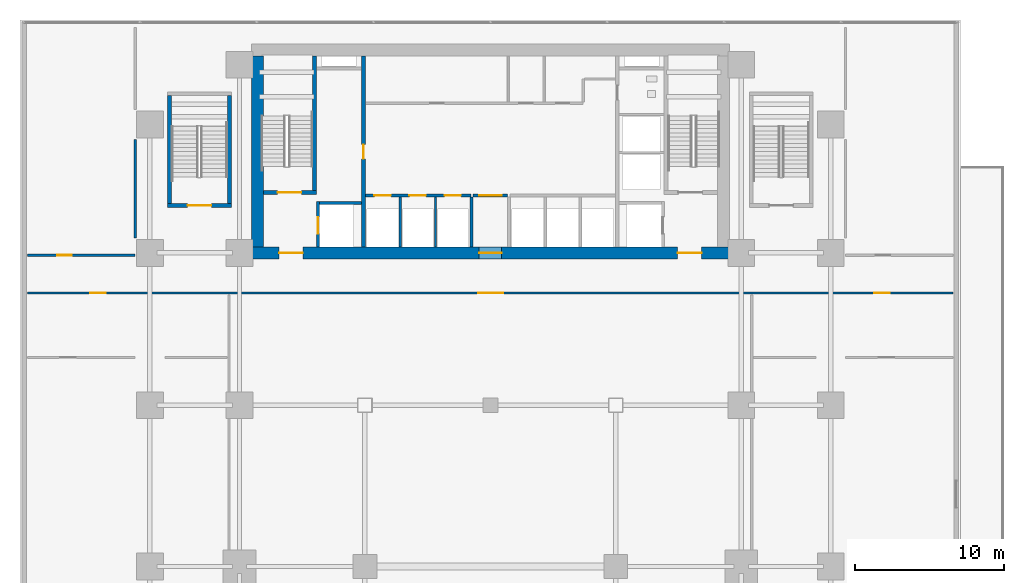
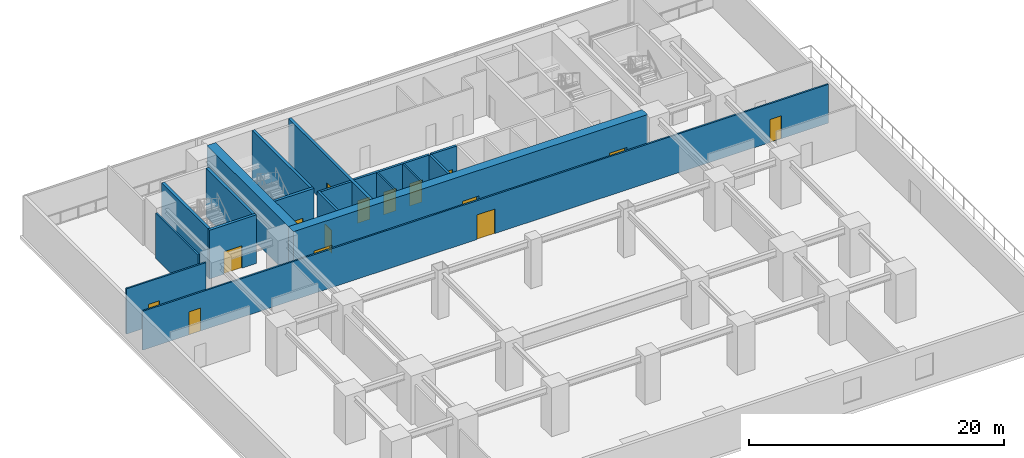
# One storey, part 8 of 15: 18 walls, 15 doors, 15 openings.
"""IFC4 building model written with IfcOpenShell, lengths in metres."""

from ifc_helpers import new_model, si_unit, direction, frame, frame_2d, origin, place, context, subcontext, project, spatial, rectangle, extrude, source, transform, mapped, material, layer, layer_set, type_object, element, fill, save


model = new_model("IFC4")

# Units and contexts
model_context = context("Model", 3, precision=1e-05, world=origin(), true_north=direction((0.0, 1.0)))
body_context = subcontext(model_context, "Body", "Model", "MODEL_VIEW")
ifc_project = project(units=[si_unit("LENGTHUNIT", "METRE"), si_unit("AREAUNIT", "SQUARE_METRE"), si_unit("VOLUMEUNIT", "CUBIC_METRE"), si_unit("PLANEANGLEUNIT", "RADIAN"), si_unit("MASSUNIT", "GRAM", prefix="KILO")], contexts=[model_context])

# Site, building, storey
site_placement = place(None, origin())
site = spatial("IfcSite", under=ifc_project, at=site_placement, CompositionType="ELEMENT")
building_placement = place(site_placement, origin())
building = spatial("IfcBuilding", under=site, at=building_placement, Name="Sumidabori Civic Tower", CompositionType="ELEMENT")
storey_placement = place(building_placement, frame((0.0, 0.0, 14.300048828125)))
storey = spatial("IfcBuildingStorey", under=building, at=storey_placement, Name="L03", CompositionType="ELEMENT", Elevation=14.300048828125)

# Wall, openings, doors
ifc_material_1 = material(Name="Concrete C60/75", Category="concrete")
ifc_layer_1 = layer(ifc_material_1, 0.800048828125, Name="Concrete C60/75")
ifc_layer_set_1 = layer_set([ifc_layer_1], Name="Concrete C60/75")
wall_type_1 = type_object("IfcWallType", Name="WL-CORE-800", PredefinedType="SHEAR", material=ifc_layer_set_1)
shared_shape_1 = source(origin(), body_context, "Body", "SweptSolid", [
    extrude(rectangle(XDim=32.0, YDim=0.800048828125, at=frame_2d((16.0, 0.0))), origin(), (0.0, 0.0, 1.0), 4.64990234375),
])
wall_1_placement = place(storey_placement, frame((-16.0, 10.199951171875, 0.0), z_axis=(0.0, 0.0, 1.0), x_axis=(1.0, 0.0, 0.0)))
wall_1 = element("IfcWall", 1, at=wall_1_placement, inside=storey, type_object=wall_type_1, Name="Core Shear Wall L03 S", PredefinedType="SHEAR", context=body_context, shape_type="MappedRepresentation", body=[
    mapped(shared_shape_1, transform((0.0, 0.0, 0.0), x_axis=(1.0, 0.0, 0.0), y_axis=(0.0, 1.0, 0.0), z_axis=(0.0, 0.0, 1.0), scale=1.0)),
])
opening_1_placement = place(wall_1_placement, frame((1.85009765625, 0.0, 0.0)))
opening_1 = element("IfcOpeningElement", 2, at=opening_1_placement, cuts=wall_1, Name="Opening DR-FD4", PredefinedType="OPENING", context=body_context, shape_type="SweptSolid", body=[
    extrude(rectangle(XDim=1.60009765625, YDim=2.14990234375, at=frame_2d((0.800048828125, 1.074951171875))), frame((0.0, 0.412109375, 0.0), z_axis=(0.0, -1.0, 0.0), x_axis=(1.0, 0.0, 0.0)), (0.0, 0.0, 1.0), 0.823974609375),
])
opening_2_placement = place(wall_1_placement, frame((28.550048828125, 0.0, 0.0)))
opening_2 = element("IfcOpeningElement", 3, at=opening_2_placement, cuts=wall_1, Name="Opening DR-FD4", PredefinedType="OPENING", context=body_context, shape_type="SweptSolid", body=[
    extrude(rectangle(XDim=1.60009765625, YDim=2.14990234375, at=frame_2d((0.800048828125, 1.074951171875))), frame((0.0, 0.412109375, 0.0), z_axis=(0.0, -1.0, 0.0), x_axis=(1.0, 0.0, 0.0)), (0.0, 0.0, 1.0), 0.823974609375),
])
opening_3_placement = place(wall_1_placement, frame((15.25, 0.0, 0.0)))
opening_3 = element("IfcOpeningElement", 4, at=opening_3_placement, cuts=wall_1, Name="Opening DR-FD3", PredefinedType="OPENING", context=body_context, shape_type="SweptSolid", body=[
    extrude(rectangle(XDim=1.5, YDim=2.199951171875, at=frame_2d((0.75, 1.10009765625))), frame((0.0, 0.412109375, 0.0), z_axis=(0.0, -1.0, 0.0), x_axis=(1.0, 0.0, 0.0)), (0.0, 0.0, 1.0), 0.823974609375),
])
ifc_material_2 = material(Name="Steel SN490", Category="steel")
door_type_1 = type_object("IfcDoorType", Name="DR-FD4", OperationType="DOUBLE_DOOR_SINGLE_SWING", PredefinedType="DOOR", material=ifc_material_2)
shared_shape_2 = source(origin(), body_context, "Body", "SweptSolid", [
    extrude(rectangle(XDim=1.60009765625, YDim=2.14990234375, at=frame_2d((0.800048828125, 1.074951171875))), frame((0.0, 0.02490234375, 0.0), z_axis=(0.0, -1.0, 0.0), x_axis=(1.0, 0.0, 0.0)), (0.0, 0.0, 1.0), 0.050048828125),
])
door_1_placement = place(opening_1_placement, origin())
door_1 = element("IfcDoor", 5, at=door_1_placement, inside=storey, type_object=door_type_1, Name="Door DR:L03:ELOB-W", OperationType="DOUBLE_DOOR_SINGLE_SWING", OverallHeight=2.14990234375, OverallWidth=1.60009765625, PredefinedType="DOOR", context=body_context, shape_type="MappedRepresentation", body=[
    mapped(shared_shape_2, transform((0.0, 0.0, 0.0), x_axis=(1.0, 0.0, 0.0), y_axis=(0.0, 1.0, 0.0), z_axis=(0.0, 0.0, 1.0), scale=1.0)),
])
fill(opening_1, door_1)
door_2_placement = place(opening_2_placement, origin())
door_2 = element("IfcDoor", 6, at=door_2_placement, inside=storey, type_object=door_type_1, Name="Door DR:L03:ELOB-E", OperationType="DOUBLE_DOOR_SINGLE_SWING", OverallHeight=2.14990234375, OverallWidth=1.60009765625, PredefinedType="DOOR", context=body_context, shape_type="MappedRepresentation", body=[
    mapped(shared_shape_2, transform((0.0, 0.0, 0.0), x_axis=(1.0, 0.0, 0.0), y_axis=(0.0, 1.0, 0.0), z_axis=(0.0, 0.0, 1.0), scale=1.0)),
])
fill(opening_2, door_2)
door_type_2 = type_object("IfcDoorType", Name="DR-FD-DBL", OperationType="DOUBLE_DOOR_SINGLE_SWING", PredefinedType="DOOR", material=ifc_material_2)
shared_shape_3 = source(origin(), body_context, "Body", "SweptSolid", [
    extrude(rectangle(XDim=1.5, YDim=2.199951171875, at=frame_2d((0.75, 1.10009765625))), frame((0.0, 0.02490234375, 0.0), z_axis=(0.0, -1.0, 0.0), x_axis=(1.0, 0.0, 0.0)), (0.0, 0.0, 1.0), 0.050048828125),
])
door_3_placement = place(opening_3_placement, origin())
door_3 = element("IfcDoor", 7, at=door_3_placement, inside=storey, type_object=door_type_2, Name="Door DR:L03:THROAT-OUT", OperationType="DOUBLE_DOOR_SINGLE_SWING", OverallHeight=2.199951171875, OverallWidth=1.5, PredefinedType="DOOR", context=body_context, shape_type="MappedRepresentation", body=[
    mapped(shared_shape_3, transform((0.0, 0.0, 0.0), x_axis=(1.0, 0.0, 0.0), y_axis=(0.0, 1.0, 0.0), z_axis=(0.0, 0.0, 1.0), scale=1.0)),
])
fill(opening_3, door_3)

# Wall
shared_shape_4 = source(origin(), body_context, "Body", "SweptSolid", [
    extrude(rectangle(XDim=12.7998046875, YDim=0.800048828125, at=frame_2d((6.39990234375, 0.0))), origin(), (0.0, 0.0, 1.0), 4.64990234375),
])
wall_2_placement = place(storey_placement, frame((-15.60009765625, 10.60009765625, 0.0), z_axis=(0.0, 0.0, 1.0), x_axis=(0.0, 1.0, 0.0)))
element("IfcWall", 8, at=wall_2_placement, inside=storey, type_object=wall_type_1, Name="Core Shear Wall L03 W", PredefinedType="SHEAR", context=body_context, shape_type="MappedRepresentation", body=[
    mapped(shared_shape_4, transform((0.0, 0.0, 0.0), x_axis=(1.0, 0.0, 0.0), y_axis=(0.0, 1.0, 0.0), z_axis=(0.0, 0.0, 1.0), scale=1.0)),
])

# Wall, opening, door
ifc_material_3 = material(Name="Concrete C50/60", Category="concrete")
ifc_layer_2 = layer(ifc_material_3, 0.25, Name="Concrete C50/60")
ifc_layer_set_2 = layer_set([ifc_layer_2], Name="Concrete C50/60")
wall_type_2 = type_object("IfcWallType", Name="WL-SHAFT-250", PredefinedType="SHEAR", material=ifc_layer_set_2)
shared_shape_5 = source(origin(), body_context, "Body", "SweptSolid", [
    extrude(rectangle(XDim=12.7998046875, YDim=0.25, at=frame_2d((6.39990234375, 0.0))), origin(), (0.0, 0.0, 1.0), 4.64990234375),
])
wall_3_placement = place(storey_placement, frame((-8.5, 10.60009765625, 0.0), z_axis=(0.0, 0.0, 1.0), x_axis=(0.0, 1.0, 0.0)))
wall_3 = element("IfcWall", 9, at=wall_3_placement, inside=storey, type_object=wall_type_2, Name="Core Shear Wall L03 WEB-W", PredefinedType="SHEAR", context=body_context, shape_type="MappedRepresentation", body=[
    mapped(shared_shape_5, transform((0.0, 0.0, 0.0), x_axis=(1.0, 0.0, 0.0), y_axis=(0.0, 1.0, 0.0), z_axis=(0.0, 0.0, 1.0), scale=1.0)),
])
opening_4_placement = place(wall_3_placement, frame((5.89990234375, 0.0, 0.0)))
opening_4 = element("IfcOpeningElement", 10, at=opening_4_placement, cuts=wall_3, Name="Opening DR-FD2", PredefinedType="OPENING", context=body_context, shape_type="SweptSolid", body=[
    extrude(rectangle(XDim=0.949951171875, YDim=2.14990234375, at=frame_2d((0.47509765625, 1.074951171875))), frame((0.0, 0.136962890625, 0.0), z_axis=(0.0, -1.0, 0.0), x_axis=(1.0, 0.0, 0.0)), (0.0, 0.0, 1.0), 0.27392578125),
])
door_type_3 = type_object("IfcDoorType", Name="DR-FD2", OperationType="NOTDEFINED", PredefinedType="DOOR", material=ifc_material_2)
shared_shape_6 = source(origin(), body_context, "Body", "SweptSolid", [
    extrude(rectangle(XDim=0.949951171875, YDim=2.14990234375, at=frame_2d((0.47509765625, 1.074951171875))), frame((0.0, 0.02490234375, 0.0), z_axis=(0.0, -1.0, 0.0), x_axis=(1.0, 0.0, 0.0)), (0.0, 0.0, 1.0), 0.050048828125),
])
door_4_placement = place(opening_4_placement, origin())
door_4 = element("IfcDoor", 11, at=door_4_placement, inside=storey, type_object=door_type_3, Name="Door DR:L03:CW-STR", OperationType="SINGLE_SWING_LEFT", OverallHeight=2.14990234375, OverallWidth=0.949951171875, PredefinedType="DOOR", context=body_context, shape_type="MappedRepresentation", body=[
    mapped(shared_shape_6, transform((0.0, 0.0, 0.0), x_axis=(1.0, 0.0, 0.0), y_axis=(0.0, 1.0, 0.0), z_axis=(0.0, 0.0, 1.0), scale=1.0)),
])
fill(opening_4, door_4)

shared_shape_7 = source(origin(), body_context, "Body", "SweptSolid", [
    extrude(rectangle(XDim=3.554931640625, YDim=0.25, at=frame_2d((1.77734375, 0.0))), origin(), (0.0, 0.0, 1.0), 4.64990234375),
])
wall_4_placement = place(storey_placement, frame((-15.199951171875, 14.25, 0.0), z_axis=(0.0, 0.0, 1.0), x_axis=(1.0, 0.0, 0.0)))
wall_4 = element("IfcWall", 12, at=wall_4_placement, inside=storey, type_object=wall_type_2, Name="Core Shear Wall L03 ST1-S", PredefinedType="SHEAR", context=body_context, shape_type="MappedRepresentation", body=[
    mapped(shared_shape_7, transform((0.0, 0.0, 0.0), x_axis=(1.0, 0.0, 0.0), y_axis=(0.0, 1.0, 0.0), z_axis=(0.0, 0.0, 1.0), scale=1.0)),
])
opening_5_placement = place(wall_4_placement, frame((0.949951171875, 0.0, 0.0)))
opening_5 = element("IfcOpeningElement", 13, at=opening_5_placement, cuts=wall_4, Name="Opening DR-FD4", PredefinedType="OPENING", context=body_context, shape_type="SweptSolid", body=[
    extrude(rectangle(XDim=1.60009765625, YDim=2.14990234375, at=frame_2d((0.800048828125, 1.074951171875))), frame((0.0, 0.136962890625, 0.0), z_axis=(0.0, -1.0, 0.0), x_axis=(1.0, 0.0, 0.0)), (0.0, 0.0, 1.0), 0.27392578125),
])
door_5_placement = place(opening_5_placement, origin())
door_5 = element("IfcDoor", 14, at=door_5_placement, inside=storey, type_object=door_type_1, Name="Door DR:L03:ST1", OperationType="DOUBLE_DOOR_SINGLE_SWING", OverallHeight=2.14990234375, OverallWidth=1.60009765625, PredefinedType="DOOR", context=body_context, shape_type="MappedRepresentation", body=[
    mapped(shared_shape_2, transform((0.0, 0.0, 0.0), x_axis=(1.0, 0.0, 0.0), y_axis=(0.0, 1.0, 0.0), z_axis=(0.0, 0.0, 1.0), scale=1.0)),
])
fill(opening_5, door_5)

# Wall
shared_shape_8 = source(origin(), body_context, "Body", "SweptSolid", [
    extrude(rectangle(XDim=9.02490234375, YDim=0.25, at=frame_2d((4.512451171875, 0.0))), origin(), (0.0, 0.0, 1.0), 4.64990234375),
])
wall_5_placement = place(storey_placement, frame((-11.77001953125, 14.375, 0.0), z_axis=(0.0, 0.0, 1.0), x_axis=(0.0, 1.0, 0.0)))
element("IfcWall", 15, at=wall_5_placement, inside=storey, type_object=wall_type_2, Name="Core Shear Wall L03 ST1-E", PredefinedType="SHEAR", context=body_context, shape_type="MappedRepresentation", body=[
    mapped(shared_shape_8, transform((0.0, 0.0, 0.0), x_axis=(1.0, 0.0, 0.0), y_axis=(0.0, 1.0, 0.0), z_axis=(0.0, 0.0, 1.0), scale=1.0)),
])

# Wall, opening, door
ifc_layer_3 = layer(ifc_material_3, 0.199951171875, Name="Concrete C50/60")
ifc_layer_set_3 = layer_set([ifc_layer_3], Name="Concrete C50/60")
wall_type_3 = type_object("IfcWallType", Name="WL-SHAFT-200", PredefinedType="SHEAR", material=ifc_layer_set_3)
shared_shape_9 = source(origin(), body_context, "Body", "SweptSolid", [
    extrude(rectangle(XDim=3.0498046875, YDim=0.199951171875, at=frame_2d((1.52490234375, 0.0))), origin(), (0.0, 0.0, 1.0), 4.64990234375),
])
wall_6_placement = place(storey_placement, frame((-11.550048828125, 10.60009765625, 0.0), z_axis=(0.0, 0.0, 1.0), x_axis=(0.0, 1.0, 0.0)))
wall_6 = element("IfcWall", 16, at=wall_6_placement, inside=storey, type_object=wall_type_3, Name="Core Shear Wall L03 EL1-W", PredefinedType="SHEAR", context=body_context, shape_type="MappedRepresentation", body=[
    mapped(shared_shape_9, transform((0.0, 0.0, 0.0), x_axis=(1.0, 0.0, 0.0), y_axis=(0.0, 1.0, 0.0), z_axis=(0.0, 0.0, 1.0), scale=1.0)),
])
opening_6_placement = place(wall_6_placement, frame((0.89990234375, 0.0, 0.0)))
opening_6 = element("IfcOpeningElement", 17, at=opening_6_placement, cuts=wall_6, Name="Opening LD-2", PredefinedType="OPENING", context=body_context, shape_type="SweptSolid", body=[
    extrude(rectangle(XDim=1.10009765625, YDim=2.14990234375, at=frame_2d((0.550048828125, 1.074951171875))), frame((0.0, 0.11181640625, 0.0), z_axis=(0.0, -1.0, 0.0), x_axis=(1.0, 0.0, 0.0)), (0.0, 0.0, 1.0), 0.223876953125),
])
ifc_material_4 = material(Name="Stainless Steel Hairline Finish", Category="steel")
door_type_4 = type_object("IfcDoorType", Name="DR-LD2", OperationType="DOUBLE_DOOR_SLIDING", PredefinedType="DOOR", material=ifc_material_4)
shared_shape_10 = source(origin(), body_context, "Body", "SweptSolid", [
    extrude(rectangle(XDim=1.10009765625, YDim=2.14990234375, at=frame_2d((0.550048828125, 1.074951171875))), frame((0.0, 0.02490234375, 0.0), z_axis=(0.0, -1.0, 0.0), x_axis=(1.0, 0.0, 0.0)), (0.0, 0.0, 1.0), 0.050048828125),
])
door_6_placement = place(opening_6_placement, origin())
door_6 = element("IfcDoor", 18, at=door_6_placement, inside=storey, type_object=door_type_4, Name="Door DR:L03:LD-EL1", OperationType="DOUBLE_DOOR_SLIDING", OverallHeight=2.14990234375, OverallWidth=1.10009765625, PredefinedType="DOOR", context=body_context, shape_type="MappedRepresentation", body=[
    mapped(shared_shape_10, transform((0.0, 0.0, 0.0), x_axis=(1.0, 0.0, 0.0), y_axis=(0.0, 1.0, 0.0), z_axis=(0.0, 0.0, 1.0), scale=1.0)),
])
fill(opening_6, door_6)

# Wall
shared_shape_11 = source(origin(), body_context, "Body", "SweptSolid", [
    extrude(rectangle(XDim=2.824951171875, YDim=0.199951171875, at=frame_2d((1.41259765625, 0.0))), origin(), (0.0, 0.0, 1.0), 4.64990234375),
])
wall_7_placement = place(storey_placement, frame((-11.449951171875, 13.550048828125, 0.0), z_axis=(0.0, 0.0, 1.0), x_axis=(1.0, 0.0, 0.0)))
element("IfcWall", 19, at=wall_7_placement, inside=storey, type_object=wall_type_3, Name="Core Shear Wall L03 EL1-N", PredefinedType="SHEAR", context=body_context, shape_type="MappedRepresentation", body=[
    mapped(shared_shape_11, transform((0.0, 0.0, 0.0), x_axis=(1.0, 0.0, 0.0), y_axis=(0.0, 1.0, 0.0), z_axis=(0.0, 0.0, 1.0), scale=1.0)),
])

# Wall, opening, door
shared_shape_12 = source(origin(), body_context, "Body", "SweptSolid", [
    extrude(rectangle(XDim=4.260009765625, YDim=0.25, at=frame_2d((2.1298828125, 0.0))), origin(), (0.0, 0.0, 1.0), 4.64990234375),
])
wall_8_placement = place(storey_placement, frame((-21.610107421875, 13.375, 0.0), z_axis=(0.0, 0.0, 1.0), x_axis=(1.0, 0.0, 0.0)))
wall_8 = element("IfcWall", 20, at=wall_8_placement, inside=storey, type_object=wall_type_2, Name="Core Shear Wall L03 ST3-S", PredefinedType="SHEAR", context=body_context, shape_type="MappedRepresentation", body=[
    mapped(shared_shape_12, transform((0.0, 0.0, 0.0), x_axis=(1.0, 0.0, 0.0), y_axis=(0.0, 1.0, 0.0), z_axis=(0.0, 0.0, 1.0), scale=1.0)),
])
opening_7_placement = place(wall_8_placement, frame((1.330078125, 0.0, 0.0)))
opening_7 = element("IfcOpeningElement", 21, at=opening_7_placement, cuts=wall_8, Name="Opening DR-FD4", PredefinedType="OPENING", context=body_context, shape_type="SweptSolid", body=[
    extrude(rectangle(XDim=1.60009765625, YDim=2.14990234375, at=frame_2d((0.800048828125, 1.074951171875))), frame((0.0, 0.136962890625, 0.0), z_axis=(0.0, -1.0, 0.0), x_axis=(1.0, 0.0, 0.0)), (0.0, 0.0, 1.0), 0.27392578125),
])
door_7_placement = place(opening_7_placement, origin())
door_7 = element("IfcDoor", 22, at=door_7_placement, inside=storey, type_object=door_type_1, Name="Door DR:L03:ST3", OperationType="DOUBLE_DOOR_SINGLE_SWING", OverallHeight=2.14990234375, OverallWidth=1.60009765625, PredefinedType="DOOR", context=body_context, shape_type="MappedRepresentation", body=[
    mapped(shared_shape_2, transform((0.0, 0.0, 0.0), x_axis=(1.0, 0.0, 0.0), y_axis=(0.0, 1.0, 0.0), z_axis=(0.0, 0.0, 1.0), scale=1.0)),
])
fill(opening_7, door_7)

# Walls
shared_shape_13 = source(origin(), body_context, "Body", "SweptSolid", [
    extrude(rectangle(XDim=7.230224609375, YDim=0.25, at=frame_2d((3.615234375, 0.0))), origin(), (0.0, 0.0, 1.0), 4.64990234375),
])
for number, where, z_axis, x_axis, name in (
    (23, (-21.485107421875, 13.5048828125, 0.0), (0.0, 0.0, 1.0), (0.0, 1.0, 0.0), "Core Shear Wall L03 ST3-W"),
    (24, (-17.47509765625, 13.5048828125, 0.0), (0.0, 0.0, 1.0), (0.0, 1.0, 0.0), "Core Shear Wall L03 ST3-E"),
):
    element("IfcWall", number, at=place(storey_placement, frame(where, z_axis=z_axis, x_axis=x_axis)), inside=storey, type_object=wall_type_2, Name=name, PredefinedType="SHEAR", context=body_context, shape_type="MappedRepresentation", body=[
        mapped(shared_shape_13, transform((0.0, 0.0, 0.0), x_axis=(1.0, 0.0, 0.0), y_axis=(0.0, 1.0, 0.0), z_axis=(0.0, 0.0, 1.0), scale=1.0)),
    ])

# Wall, openings, doors
ifc_material_5 = material(Name="Gypsum Plasterboard Fire Partition")
ifc_layer_4 = layer(ifc_material_5, 0.199951171875, Name="Gypsum Plasterboard Fire Partition")
ifc_layer_set_4 = layer_set([ifc_layer_4], Name="Gypsum Plasterboard Fire Partition")
wall_type_4 = type_object("IfcWallType", Name="WL-PART-FIRE", PredefinedType="PARTITIONING", material=ifc_layer_set_4)
shared_shape_14 = source(origin(), body_context, "Body", "SweptSolid", [
    extrude(rectangle(XDim=7.070068359375, YDim=0.199951171875, at=frame_2d((3.53515625, 0.0))), origin(), (0.0, 0.0, 1.0), 4.329833984375),
])
wall_9_placement = place(storey_placement, frame((-8.3701171875, 14.050048828125, 0.0), z_axis=(0.0, 0.0, 1.0), x_axis=(1.0, 0.0, 0.0)))
wall_9 = element("IfcWall", 25, at=wall_9_placement, inside=storey, type_object=wall_type_4, Name="Interior Partition WL:L03:CBAND-SW", PredefinedType="PARTITIONING", context=body_context, shape_type="MappedRepresentation", body=[
    mapped(shared_shape_14, transform((0.0, 0.0, 0.0), x_axis=(1.0, 0.0, 0.0), y_axis=(0.0, 1.0, 0.0), z_axis=(0.0, 0.0, 1.0), scale=1.0)),
])
opening_8_placement = place(wall_9_placement, frame((0.60009765625, 0.0, 0.0)))
opening_8 = element("IfcOpeningElement", 26, at=opening_8_placement, cuts=wall_9, Name="Opening LD-1", PredefinedType="OPENING", context=body_context, shape_type="SweptSolid", body=[
    extrude(rectangle(XDim=1.10009765625, YDim=2.14990234375, at=frame_2d((0.550048828125, 1.074951171875))), frame((0.0, 0.11181640625, 0.0), z_axis=(0.0, -1.0, 0.0), x_axis=(1.0, 0.0, 0.0)), (0.0, 0.0, 1.0), 0.223876953125),
])
opening_9_placement = place(wall_9_placement, frame((2.949951171875, 0.0, 0.0)))
opening_9 = element("IfcOpeningElement", 27, at=opening_9_placement, cuts=wall_9, Name="Opening LD-1", PredefinedType="OPENING", context=body_context, shape_type="SweptSolid", body=[
    extrude(rectangle(XDim=1.10009765625, YDim=2.14990234375, at=frame_2d((0.550048828125, 1.074951171875))), frame((0.0, 0.11181640625, 0.0), z_axis=(0.0, -1.0, 0.0), x_axis=(1.0, 0.0, 0.0)), (0.0, 0.0, 1.0), 0.223876953125),
])
opening_10_placement = place(wall_9_placement, frame((5.300048828125, 0.0, 0.0)))
opening_10 = element("IfcOpeningElement", 28, at=opening_10_placement, cuts=wall_9, Name="Opening LD-1", PredefinedType="OPENING", context=body_context, shape_type="SweptSolid", body=[
    extrude(rectangle(XDim=1.10009765625, YDim=2.14990234375, at=frame_2d((0.550048828125, 1.074951171875))), frame((0.0, 0.11181640625, 0.0), z_axis=(0.0, -1.0, 0.0), x_axis=(1.0, 0.0, 0.0)), (0.0, 0.0, 1.0), 0.223876953125),
])
door_type_5 = type_object("IfcDoorType", Name="DR-LD1", OperationType="DOUBLE_DOOR_SLIDING", PredefinedType="DOOR", material=ifc_material_4)
door_8_placement = place(opening_8_placement, origin())
door_8 = element("IfcDoor", 29, at=door_8_placement, inside=storey, type_object=door_type_5, Name="Door DR:L03:LD-PLL1", OperationType="DOUBLE_DOOR_SLIDING", OverallHeight=2.14990234375, OverallWidth=1.10009765625, PredefinedType="DOOR", context=body_context, shape_type="MappedRepresentation", body=[
    mapped(shared_shape_10, transform((0.0, 0.0, 0.0), x_axis=(1.0, 0.0, 0.0), y_axis=(0.0, 1.0, 0.0), z_axis=(0.0, 0.0, 1.0), scale=1.0)),
])
fill(opening_8, door_8)
door_9_placement = place(opening_9_placement, origin())
door_9 = element("IfcDoor", 30, at=door_9_placement, inside=storey, type_object=door_type_5, Name="Door DR:L03:LD-PLL2", OperationType="DOUBLE_DOOR_SLIDING", OverallHeight=2.14990234375, OverallWidth=1.10009765625, PredefinedType="DOOR", context=body_context, shape_type="MappedRepresentation", body=[
    mapped(shared_shape_10, transform((0.0, 0.0, 0.0), x_axis=(1.0, 0.0, 0.0), y_axis=(0.0, 1.0, 0.0), z_axis=(0.0, 0.0, 1.0), scale=1.0)),
])
fill(opening_9, door_9)
door_10_placement = place(opening_10_placement, origin())
door_10 = element("IfcDoor", 31, at=door_10_placement, inside=storey, type_object=door_type_5, Name="Door DR:L03:LD-PLL3", OperationType="DOUBLE_DOOR_SLIDING", OverallHeight=2.14990234375, OverallWidth=1.10009765625, PredefinedType="DOOR", context=body_context, shape_type="MappedRepresentation", body=[
    mapped(shared_shape_10, transform((0.0, 0.0, 0.0), x_axis=(1.0, 0.0, 0.0), y_axis=(0.0, 1.0, 0.0), z_axis=(0.0, 0.0, 1.0), scale=1.0)),
])
fill(opening_10, door_10)

# Wall
shared_shape_15 = source(origin(), body_context, "Body", "SweptSolid", [
    extrude(rectangle(XDim=3.33984375, YDim=0.199951171875, at=frame_2d((1.669921875, 0.0))), origin(), (0.0, 0.0, 1.0), 4.329833984375),
])
wall_10_placement = place(storey_placement, frame((-1.25, 10.60009765625, 0.0), z_axis=(0.0, 0.0, 1.0), x_axis=(0.0, 1.0, 0.0)))
element("IfcWall", 32, at=wall_10_placement, inside=storey, type_object=wall_type_4, Name="Interior Partition WL:L03:THROAT-W", PredefinedType="PARTITIONING", context=body_context, shape_type="MappedRepresentation", body=[
    mapped(shared_shape_15, transform((0.0, 0.0, 0.0), x_axis=(1.0, 0.0, 0.0), y_axis=(0.0, 1.0, 0.0), z_axis=(0.0, 0.0, 1.0), scale=1.0)),
])

# Wall, opening, door
shared_shape_16 = source(origin(), body_context, "Body", "SweptSolid", [
    extrude(rectangle(XDim=2.2998046875, YDim=0.199951171875, at=frame_2d((1.14990234375, 0.0))), origin(), (0.0, 0.0, 1.0), 4.329833984375),
])
wall_11_placement = place(storey_placement, frame((-1.14990234375, 14.050048828125, 0.0), z_axis=(0.0, 0.0, 1.0), x_axis=(1.0, 0.0, 0.0)))
wall_11 = element("IfcWall", 33, at=wall_11_placement, inside=storey, type_object=wall_type_4, Name="Interior Partition WL:L03:THROAT-N", PredefinedType="PARTITIONING", context=body_context, shape_type="MappedRepresentation", body=[
    mapped(shared_shape_16, transform((0.0, 0.0, 0.0), x_axis=(1.0, 0.0, 0.0), y_axis=(0.0, 1.0, 0.0), z_axis=(0.0, 0.0, 1.0), scale=1.0)),
])
opening_11_placement = place(wall_11_placement, frame((0.39990234375, 0.0, 0.0)))
opening_11 = element("IfcOpeningElement", 34, at=opening_11_placement, cuts=wall_11, Name="Opening DR-FD3", PredefinedType="OPENING", context=body_context, shape_type="SweptSolid", body=[
    extrude(rectangle(XDim=1.5, YDim=2.199951171875, at=frame_2d((0.75, 1.10009765625))), frame((0.0, 0.11181640625, 0.0), z_axis=(0.0, -1.0, 0.0), x_axis=(1.0, 0.0, 0.0)), (0.0, 0.0, 1.0), 0.223876953125),
])
door_11_placement = place(opening_11_placement, origin())
door_11 = element("IfcDoor", 35, at=door_11_placement, inside=storey, type_object=door_type_2, Name="Door DR:L03:THROAT-IN", OperationType="DOUBLE_DOOR_SINGLE_SWING", OverallHeight=2.199951171875, OverallWidth=1.5, PredefinedType="DOOR", context=body_context, shape_type="MappedRepresentation", body=[
    mapped(shared_shape_3, transform((0.0, 0.0, 0.0), x_axis=(1.0, 0.0, 0.0), y_axis=(0.0, 1.0, 0.0), z_axis=(0.0, 0.0, 1.0), scale=1.0)),
])
fill(opening_11, door_11)

# Walls
ifc_material_6 = material(Name="Gypsum Plasterboard Acoustic Partition")
ifc_layer_5 = layer(ifc_material_6, 0.14990234375, Name="Gypsum Plasterboard Acoustic Partition")
ifc_layer_set_5 = layer_set([ifc_layer_5], Name="Gypsum Plasterboard Acoustic Partition")
wall_type_5 = type_object("IfcWallType", Name="WL-PART-150", PredefinedType="PARTITIONING", material=ifc_layer_set_5)
shared_shape_17 = source(origin(), body_context, "Body", "SweptSolid", [
    extrude(rectangle(XDim=3.33984375, YDim=0.14990234375, at=frame_2d((1.669921875, 0.0))), origin(), (0.0, 0.0, 1.0), 4.329833984375),
])
for number, where, z_axis, x_axis, name in (
    (36, (-6.030029296875, 10.60009765625, 0.0), (0.0, 0.0, 1.0), (0.0, 1.0, 0.0), "Interior Partition WL:L03:DIV-PLL1"),
    (37, (-3.679931640625, 10.60009765625, 0.0), (0.0, 0.0, 1.0), (0.0, 1.0, 0.0), "Interior Partition WL:L03:DIV-PLL2"),
):
    element("IfcWall", number, at=place(storey_placement, frame(where, z_axis=z_axis, x_axis=x_axis)), inside=storey, type_object=wall_type_5, Name=name, PredefinedType="PARTITIONING", context=body_context, shape_type="MappedRepresentation", body=[
        mapped(shared_shape_17, transform((0.0, 0.0, 0.0), x_axis=(1.0, 0.0, 0.0), y_axis=(0.0, 1.0, 0.0), z_axis=(0.0, 0.0, 1.0), scale=1.0)),
    ])

# Wall, openings, doors
shared_shape_18 = source(origin(), body_context, "Body", "SweptSolid", [
    extrude(rectangle(XDim=62.0, YDim=0.14990234375, at=frame_2d((31.0, 0.0))), origin(), (0.0, 0.0, 1.0), 3.71484375),
])
wall_12_placement = place(storey_placement, frame((-31.0, 7.52001953125, 0.0), z_axis=(0.0, 0.0, 1.0), x_axis=(1.0, 0.0, 0.0)))
wall_12 = element("IfcWall", 38, at=wall_12_placement, inside=storey, type_object=wall_type_5, Name="Interior Partition WL:L03:CORR-S", PredefinedType="PARTITIONING", context=body_context, shape_type="MappedRepresentation", body=[
    mapped(shared_shape_18, transform((0.0, 0.0, 0.0), x_axis=(1.0, 0.0, 0.0), y_axis=(0.0, 1.0, 0.0), z_axis=(0.0, 0.0, 1.0), scale=1.0)),
])
opening_12_placement = place(wall_12_placement, frame((4.199951171875, 0.0, 0.0)))
opening_12 = element("IfcOpeningElement", 39, at=opening_12_placement, cuts=wall_12, Name="Opening DR-4", PredefinedType="OPENING", context=body_context, shape_type="SweptSolid", body=[
    extrude(rectangle(XDim=1.0400390625, YDim=2.199951171875, at=frame_2d((0.52001953125, 1.10009765625))), frame((0.0, 0.0869140625, 0.0), z_axis=(0.0, -1.0, 0.0), x_axis=(1.0, 0.0, 0.0)), (0.0, 0.0, 1.0), 0.173828125),
])
opening_13_placement = place(wall_12_placement, frame((30.199951171875, 0.0, 0.0)))
opening_13 = element("IfcOpeningElement", 40, at=opening_13_placement, cuts=wall_12, Name="Opening DR-6", PredefinedType="OPENING", context=body_context, shape_type="SweptSolid", body=[
    extrude(rectangle(XDim=1.64990234375, YDim=2.35009765625, at=frame_2d((0.824951171875, 1.175048828125))), frame((0.0, 0.0869140625, 0.0), z_axis=(0.0, -1.0, 0.0), x_axis=(1.0, 0.0, 0.0)), (0.0, 0.0, 1.0), 0.173828125),
])
opening_14_placement = place(wall_12_placement, frame((56.699951171875, 0.0, 0.0)))
opening_14 = element("IfcOpeningElement", 41, at=opening_14_placement, cuts=wall_12, Name="Opening DR-4", PredefinedType="OPENING", context=body_context, shape_type="SweptSolid", body=[
    extrude(rectangle(XDim=1.0400390625, YDim=2.199951171875, at=frame_2d((0.52001953125, 1.10009765625))), frame((0.0, 0.0869140625, 0.0), z_axis=(0.0, -1.0, 0.0), x_axis=(1.0, 0.0, 0.0)), (0.0, 0.0, 1.0), 0.173828125),
])
ifc_material_7 = material(Name="Anodised Bronze Aluminium AW-6063-T6", Category="aluminium")
door_type_6 = type_object("IfcDoorType", Name="DR-DBL-1650", OperationType="DOUBLE_DOOR_SINGLE_SWING", PredefinedType="DOOR", material=ifc_material_7)
shared_shape_19 = source(origin(), body_context, "Body", "SweptSolid", [
    extrude(rectangle(XDim=1.64990234375, YDim=2.35009765625, at=frame_2d((0.824951171875, 1.175048828125))), frame((0.0, 0.02490234375, 0.0), z_axis=(0.0, -1.0, 0.0), x_axis=(1.0, 0.0, 0.0)), (0.0, 0.0, 1.0), 0.050048828125),
])
door_12_placement = place(opening_13_placement, origin())
door_12 = element("IfcDoor", 42, at=door_12_placement, inside=storey, type_object=door_type_6, Name="Door DR:L03:PD-2", OperationType="DOUBLE_DOOR_SINGLE_SWING", OverallHeight=2.35009765625, OverallWidth=1.64990234375, PredefinedType="DOOR", context=body_context, shape_type="MappedRepresentation", body=[
    mapped(shared_shape_19, transform((0.0, 0.0, 0.0), x_axis=(1.0, 0.0, 0.0), y_axis=(0.0, 1.0, 0.0), z_axis=(0.0, 0.0, 1.0), scale=1.0)),
])
fill(opening_13, door_12)
ifc_material_8 = material(Name="Japanese Hinoki Timber", Category="wood")
door_type_7 = type_object("IfcDoorType", Name="DR-INT-1040", OperationType="NOTDEFINED", PredefinedType="DOOR", material=ifc_material_8)
shared_shape_20 = source(origin(), body_context, "Body", "SweptSolid", [
    extrude(rectangle(XDim=1.0400390625, YDim=2.199951171875, at=frame_2d((0.52001953125, 1.10009765625))), frame((0.0, 0.02490234375, 0.0), z_axis=(0.0, -1.0, 0.0), x_axis=(1.0, 0.0, 0.0)), (0.0, 0.0, 1.0), 0.050048828125),
])
door_13_placement = place(opening_12_placement, origin())
door_13 = element("IfcDoor", 43, at=door_13_placement, inside=storey, type_object=door_type_7, Name="Door DR:L03:PD-1", OperationType="SINGLE_SWING_LEFT", OverallHeight=2.199951171875, OverallWidth=1.0400390625, PredefinedType="DOOR", context=body_context, shape_type="MappedRepresentation", body=[
    mapped(shared_shape_20, transform((0.0, 0.0, 0.0), x_axis=(1.0, 0.0, 0.0), y_axis=(0.0, 1.0, 0.0), z_axis=(0.0, 0.0, 1.0), scale=1.0)),
])
fill(opening_12, door_13)
door_14_placement = place(opening_14_placement, origin())
door_14 = element("IfcDoor", 44, at=door_14_placement, inside=storey, type_object=door_type_7, Name="Door DR:L03:PD-3", OperationType="SINGLE_SWING_RIGHT", OverallHeight=2.199951171875, OverallWidth=1.0400390625, PredefinedType="DOOR", context=body_context, shape_type="MappedRepresentation", body=[
    mapped(shared_shape_20, transform((0.0, 0.0, 0.0), x_axis=(1.0, 0.0, 0.0), y_axis=(0.0, 1.0, 0.0), z_axis=(0.0, 0.0, 1.0), scale=1.0)),
])
fill(opening_14, door_14)

# Wall, opening, door
shared_shape_21 = source(origin(), body_context, "Body", "SweptSolid", [
    extrude(rectangle(XDim=7.199951171875, YDim=0.14990234375, at=frame_2d((3.60009765625, 0.0))), origin(), (0.0, 0.0, 1.0), 4.329833984375),
])
wall_13_placement = place(storey_placement, frame((-31.0, 10.050048828125, 0.0), z_axis=(0.0, 0.0, 1.0), x_axis=(1.0, 0.0, 0.0)))
wall_13 = element("IfcWall", 45, at=wall_13_placement, inside=storey, type_object=wall_type_5, Name="Interior Partition WL:L03:CORR-NW", PredefinedType="PARTITIONING", context=body_context, shape_type="MappedRepresentation", body=[
    mapped(shared_shape_21, transform((0.0, 0.0, 0.0), x_axis=(1.0, 0.0, 0.0), y_axis=(0.0, 1.0, 0.0), z_axis=(0.0, 0.0, 1.0), scale=1.0)),
])
opening_15_placement = place(wall_13_placement, frame((2.0, 0.0, 0.0)))
opening_15 = element("IfcOpeningElement", 46, at=opening_15_placement, cuts=wall_13, Name="Opening DR-3", PredefinedType="OPENING", context=body_context, shape_type="SweptSolid", body=[
    extrude(rectangle(XDim=0.97998046875, YDim=2.14990234375, at=frame_2d((0.489990234375, 1.074951171875))), frame((0.0, 0.0869140625, 0.0), z_axis=(0.0, -1.0, 0.0), x_axis=(1.0, 0.0, 0.0)), (0.0, 0.0, 1.0), 0.173828125),
])
door_type_8 = type_object("IfcDoorType", Name="DR-INT-980", OperationType="NOTDEFINED", PredefinedType="DOOR", material=ifc_material_8)
shared_shape_22 = source(origin(), body_context, "Body", "SweptSolid", [
    extrude(rectangle(XDim=0.97998046875, YDim=2.14990234375, at=frame_2d((0.489990234375, 1.074951171875))), frame((0.0, 0.02490234375, 0.0), z_axis=(0.0, -1.0, 0.0), x_axis=(1.0, 0.0, 0.0)), (0.0, 0.0, 1.0), 0.050048828125),
])
door_15_placement = place(opening_15_placement, origin())
door_15 = element("IfcDoor", 47, at=door_15_placement, inside=storey, type_object=door_type_8, Name="Door DR:L03:PD-NW", OperationType="SINGLE_SWING_LEFT", OverallHeight=2.14990234375, OverallWidth=0.97998046875, PredefinedType="DOOR", context=body_context, shape_type="MappedRepresentation", body=[
    mapped(shared_shape_22, transform((0.0, 0.0, 0.0), x_axis=(1.0, 0.0, 0.0), y_axis=(0.0, 1.0, 0.0), z_axis=(0.0, 0.0, 1.0), scale=1.0)),
])
fill(opening_15, door_15)

# Wall
shared_shape_23 = source(origin(), body_context, "Body", "SweptSolid", [
    extrude(rectangle(XDim=6.60009765625, YDim=0.14990234375, at=frame_2d((3.300048828125, 0.0))), origin(), (0.0, 0.0, 1.0), 4.329833984375),
])
wall_14_placement = place(storey_placement, frame((-23.780029296875, 11.199951171875, 0.0), z_axis=(0.0, 0.0, 1.0), x_axis=(0.0, 1.0, 0.0)))
element("IfcWall", 48, at=wall_14_placement, inside=storey, type_object=wall_type_5, Name="Interior Partition WL:L03:NW-E1", PredefinedType="PARTITIONING", context=body_context, shape_type="MappedRepresentation", body=[
    mapped(shared_shape_23, transform((0.0, 0.0, 0.0), x_axis=(1.0, 0.0, 0.0), y_axis=(0.0, 1.0, 0.0), z_axis=(0.0, 0.0, 1.0), scale=1.0)),
])

save(model, "model.ifc")
